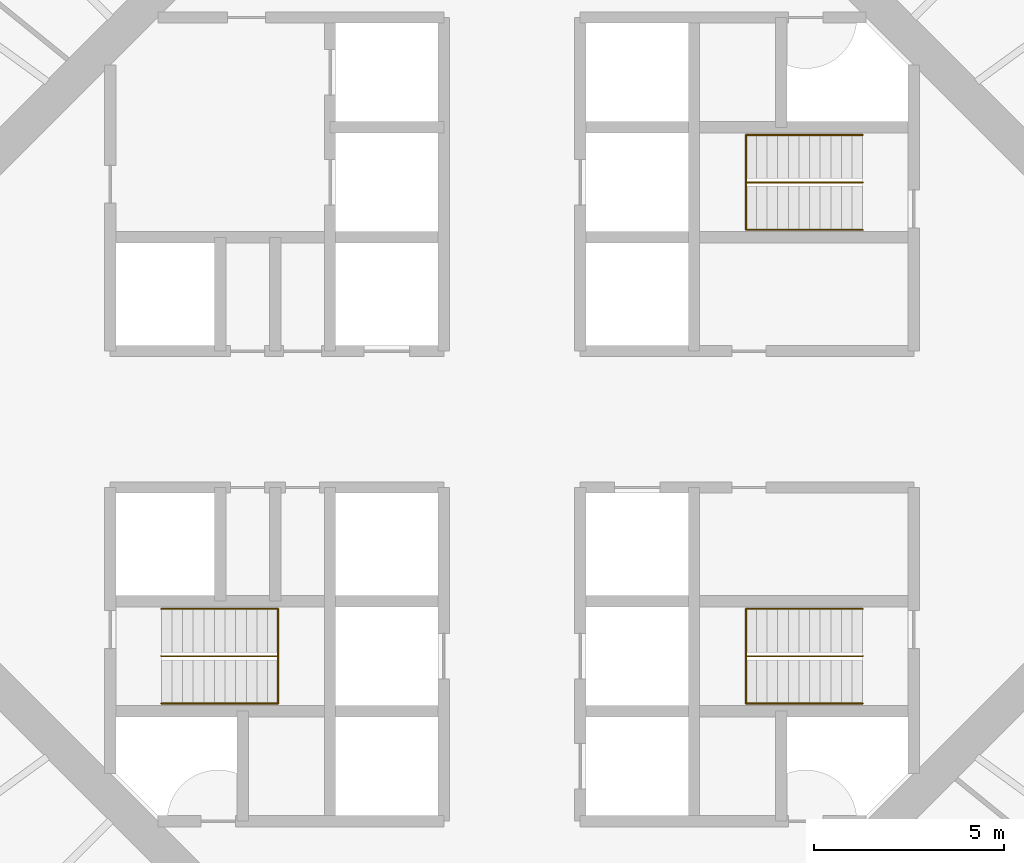
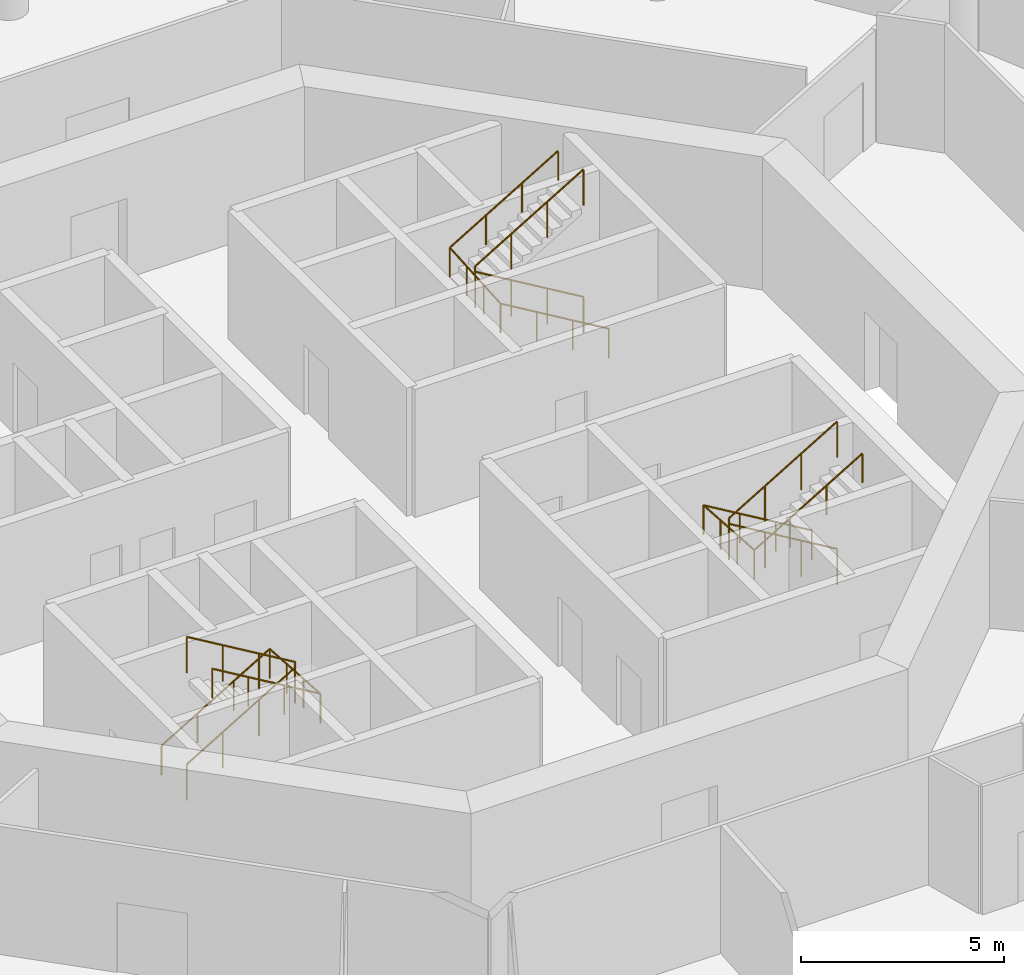
# One storey, part 13 of 13: 6 railings.
"""IFC4 building model written with IfcOpenShell, lengths in metres."""

from ifc_helpers import new_model, si_unit, direction, frame, origin, origin_2d, place, context, subcontext, project, spatial, circle, extrude, material, type_object, element, save


model = new_model("IFC4")

# Units and contexts
model_context = context("Model", 3, precision=1e-05, world=origin(), true_north=direction((0.0, 1.0)))
body_context = subcontext(model_context, "Body", "Model", "MODEL_VIEW")
ifc_project = project(units=[si_unit("LENGTHUNIT", "METRE"), si_unit("AREAUNIT", "SQUARE_METRE"), si_unit("VOLUMEUNIT", "CUBIC_METRE"), si_unit("PLANEANGLEUNIT", "RADIAN"), si_unit("MASSUNIT", "GRAM", prefix="KILO")], contexts=[model_context])

# Site, building, storey
site_placement = place(None, origin())
site = spatial("IfcSite", under=ifc_project, at=site_placement, CompositionType="ELEMENT")
building_placement = place(site_placement, origin())
building = spatial("IfcBuilding", under=site, at=building_placement, Name="Entoto Ring Tower", CompositionType="ELEMENT")
storey_placement = place(building_placement, frame((0.0, 0.0, 258.0)))
storey = spatial("IfcBuildingStorey", under=building, at=storey_placement, Name="L59", CompositionType="ELEMENT", Elevation=258.0)

# Railings
ifc_material_1 = material(Name="Steel S275", Category="steel")
railing_type_1 = type_object("IfcRailingType", Name="Stair guard 1100 mm steel", PredefinedType="GUARDRAIL", material=ifc_material_1)
railing_1_placement = place(storey_placement, frame((99.25, 86.25, 0.166748046875)))
element("IfcRailing", 1, at=railing_1_placement, inside=storey, type_object=railing_type_1, Name="Guard ST1", PredefinedType="GUARDRAIL", context=body_context, shape_type="SweptSolid", body=[
    extrude(circle(Radius=0.02392578125, at=origin_2d()), frame((0.0, 0.0, 1.076171875), z_axis=(-0.859308565015, 0.0, 0.511457515432), x_axis=(0.0, -1.0, 0.0)), (0.0, 0.0, 1.0), 3.58447265625),
    extrude(circle(Radius=0.02392578125, at=origin_2d()), frame((-3.080078125, 0.0, 2.9091796875), z_axis=(0.0, 0.0, 1.0), x_axis=(1.0, 0.0, 0.0)), (0.0, 0.0, 1.0), 0.166748046875),
    extrude(circle(Radius=0.02392578125, at=origin_2d()), frame((-3.080078125, 0.0, 3.076171875), z_axis=(0.859308565015, 0.0, 0.511457515432), x_axis=(0.0, 1.0, 0.0)), (0.0, 0.0, 1.0), 3.58447265625),
    extrude(circle(Radius=0.02099609375, at=origin_2d()), origin(), (0.0, 0.0, 1.0), 1.052001953125),
    extrude(circle(Radius=0.02099609375, at=origin_2d()), frame((-1.026611328125, 0.0, 0.611083984375)), (0.0, 0.0, 1.0), 1.052001953125),
    extrude(circle(Radius=0.02099609375, at=origin_2d()), frame((-2.053466796875, 0.0, 1.22216796875)), (0.0, 0.0, 1.0), 1.052001953125),
    extrude(circle(Radius=0.02099609375, at=origin_2d()), frame((-3.080078125, 0.0, 1.833251953125)), (0.0, 0.0, 1.0), 1.052001953125),
    extrude(circle(Radius=0.02099609375, at=origin_2d()), frame((-3.080078125, 0.0, 2.0)), (0.0, 0.0, 1.0), 1.052001953125),
    extrude(circle(Radius=0.02099609375, at=origin_2d()), frame((-2.053466796875, 0.0, 2.611083984375)), (0.0, 0.0, 1.0), 1.052001953125),
    extrude(circle(Radius=0.02099609375, at=origin_2d()), frame((-1.026611328125, 0.0, 3.22216796875)), (0.0, 0.0, 1.0), 1.052001953125),
    extrude(circle(Radius=0.02099609375, at=origin_2d()), frame((0.0, 0.0, 3.833251953125)), (0.0, 0.0, 1.0), 1.052001953125),
])
railing_2_placement = place(storey_placement, frame((80.75, 73.75, 0.166748046875)))
element("IfcRailing", 2, at=railing_2_placement, inside=storey, type_object=railing_type_1, Name="Guard ST2", PredefinedType="GUARDRAIL", context=body_context, shape_type="SweptSolid", body=[
    extrude(circle(Radius=0.02392578125, at=origin_2d()), frame((0.0, 0.0, 1.076171875), z_axis=(0.859308565015, 0.0, 0.511457515432), x_axis=(0.0, 1.0, 0.0)), (0.0, 0.0, 1.0), 3.58447265625),
    extrude(circle(Radius=0.02392578125, at=origin_2d()), frame((3.080078125, 0.0, 2.9091796875), z_axis=(0.0, 0.0, 1.0), x_axis=(1.0, 0.0, 0.0)), (0.0, 0.0, 1.0), 0.166748046875),
    extrude(circle(Radius=0.02392578125, at=origin_2d()), frame((3.080078125, 0.0, 3.076171875), z_axis=(-0.859308565015, 0.0, 0.511457515432), x_axis=(0.0, -1.0, 0.0)), (0.0, 0.0, 1.0), 3.58447265625),
    extrude(circle(Radius=0.02099609375, at=origin_2d()), origin(), (0.0, 0.0, 1.0), 1.052001953125),
    extrude(circle(Radius=0.02099609375, at=origin_2d()), frame((1.026611328125, 0.0, 0.611083984375)), (0.0, 0.0, 1.0), 1.052001953125),
    extrude(circle(Radius=0.02099609375, at=origin_2d()), frame((2.053466796875, 0.0, 1.22216796875)), (0.0, 0.0, 1.0), 1.052001953125),
    extrude(circle(Radius=0.02099609375, at=origin_2d()), frame((3.080078125, 0.0, 1.833251953125)), (0.0, 0.0, 1.0), 1.052001953125),
    extrude(circle(Radius=0.02099609375, at=origin_2d()), frame((3.080078125, 0.0, 2.0)), (0.0, 0.0, 1.0), 1.052001953125),
    extrude(circle(Radius=0.02099609375, at=origin_2d()), frame((2.053466796875, 0.0, 2.611083984375)), (0.0, 0.0, 1.0), 1.052001953125),
    extrude(circle(Radius=0.02099609375, at=origin_2d()), frame((1.026611328125, 0.0, 3.22216796875)), (0.0, 0.0, 1.0), 1.052001953125),
    extrude(circle(Radius=0.02099609375, at=origin_2d()), frame((0.0, 0.0, 3.833251953125)), (0.0, 0.0, 1.0), 1.052001953125),
])
railing_3_placement = place(storey_placement, frame((99.25, 73.75, 0.166748046875)))
element("IfcRailing", 3, at=railing_3_placement, inside=storey, type_object=railing_type_1, Name="Guard ST3", PredefinedType="GUARDRAIL", context=body_context, shape_type="SweptSolid", body=[
    extrude(circle(Radius=0.02392578125, at=origin_2d()), frame((0.0, 0.0, 1.076171875), z_axis=(-0.859308565015, 0.0, 0.511457515432), x_axis=(0.0, -1.0, 0.0)), (0.0, 0.0, 1.0), 3.58447265625),
    extrude(circle(Radius=0.02392578125, at=origin_2d()), frame((-3.080078125, 0.0, 2.9091796875), z_axis=(0.0, 0.0, 1.0), x_axis=(1.0, 0.0, 0.0)), (0.0, 0.0, 1.0), 0.166748046875),
    extrude(circle(Radius=0.02392578125, at=origin_2d()), frame((-3.080078125, 0.0, 3.076171875), z_axis=(0.859308565015, 0.0, 0.511457515432), x_axis=(0.0, 1.0, 0.0)), (0.0, 0.0, 1.0), 3.58447265625),
    extrude(circle(Radius=0.02099609375, at=origin_2d()), origin(), (0.0, 0.0, 1.0), 1.052001953125),
    extrude(circle(Radius=0.02099609375, at=origin_2d()), frame((-1.026611328125, 0.0, 0.611083984375)), (0.0, 0.0, 1.0), 1.052001953125),
    extrude(circle(Radius=0.02099609375, at=origin_2d()), frame((-2.053466796875, 0.0, 1.22216796875)), (0.0, 0.0, 1.0), 1.052001953125),
    extrude(circle(Radius=0.02099609375, at=origin_2d()), frame((-3.080078125, 0.0, 1.833251953125)), (0.0, 0.0, 1.0), 1.052001953125),
    extrude(circle(Radius=0.02099609375, at=origin_2d()), frame((-3.080078125, 0.0, 2.0)), (0.0, 0.0, 1.0), 1.052001953125),
    extrude(circle(Radius=0.02099609375, at=origin_2d()), frame((-2.053466796875, 0.0, 2.611083984375)), (0.0, 0.0, 1.0), 1.052001953125),
    extrude(circle(Radius=0.02099609375, at=origin_2d()), frame((-1.026611328125, 0.0, 3.22216796875)), (0.0, 0.0, 1.0), 1.052001953125),
    extrude(circle(Radius=0.02099609375, at=origin_2d()), frame((0.0, 0.0, 3.833251953125)), (0.0, 0.0, 1.0), 1.052001953125),
])
ifc_material_2 = material(Name="Steel S275", Category="steel")
railing_type_2 = type_object("IfcRailingType", Name="Stair handrail 900 mm steel", PredefinedType="HANDRAIL", material=ifc_material_2)
railing_4_placement = place(storey_placement, frame((99.25, 85.0, 0.166748046875)))
element("IfcRailing", 4, at=railing_4_placement, inside=storey, type_object=railing_type_2, Name="Handrail ST1", PredefinedType="HANDRAIL", context=body_context, shape_type="SweptSolid", body=[
    extrude(circle(Radius=0.02392578125, at=origin_2d()), frame((0.0, 0.0, 0.8759765625), z_axis=(-0.859308565015, 0.0, 0.511457515432), x_axis=(0.0, -1.0, 0.0)), (0.0, 0.0, 1.0), 3.58447265625),
    extrude(circle(Radius=0.02392578125, at=origin_2d()), frame((-3.080078125, 0.0, 2.708984375), z_axis=(0.0, 0.997783001586, 0.066551346688), x_axis=(-1.0, 0.0, 0.0)), (0.0, 0.0, 1.0), 2.505615234375),
    extrude(circle(Radius=0.02392578125, at=origin_2d()), frame((-3.080078125, 2.5, 2.8759765625), z_axis=(0.859308565015, 0.0, 0.511457515432), x_axis=(0.0, 1.0, 0.0)), (0.0, 0.0, 1.0), 3.58447265625),
    extrude(circle(Radius=0.02099609375, at=origin_2d()), origin(), (0.0, 0.0, 1.0), 0.851806640625),
    extrude(circle(Radius=0.02099609375, at=origin_2d()), frame((-1.026611328125, 0.0, 0.611083984375)), (0.0, 0.0, 1.0), 0.851806640625),
    extrude(circle(Radius=0.02099609375, at=origin_2d()), frame((-2.053466796875, 0.0, 1.22216796875)), (0.0, 0.0, 1.0), 0.851806640625),
    extrude(circle(Radius=0.02099609375, at=origin_2d()), frame((-3.080078125, 0.0, 1.833251953125)), (0.0, 0.0, 1.0), 0.851806640625),
    extrude(circle(Radius=0.02099609375, at=origin_2d()), frame((-3.080078125, 0.833251953125, 1.888916015625)), (0.0, 0.0, 1.0), 0.851806640625),
    extrude(circle(Radius=0.02099609375, at=origin_2d()), frame((-3.080078125, 1.666748046875, 1.9443359375)), (0.0, 0.0, 1.0), 0.851806640625),
    extrude(circle(Radius=0.02099609375, at=origin_2d()), frame((-3.080078125, 2.5, 2.0)), (0.0, 0.0, 1.0), 0.851806640625),
    extrude(circle(Radius=0.02099609375, at=origin_2d()), frame((-2.053466796875, 2.5, 2.611083984375)), (0.0, 0.0, 1.0), 0.851806640625),
    extrude(circle(Radius=0.02099609375, at=origin_2d()), frame((-1.026611328125, 2.5, 3.22216796875)), (0.0, 0.0, 1.0), 0.851806640625),
    extrude(circle(Radius=0.02099609375, at=origin_2d()), frame((0.0, 2.5, 3.833251953125)), (0.0, 0.0, 1.0), 0.851806640625),
])
railing_5_placement = place(storey_placement, frame((80.75, 75.0, 0.166748046875)))
element("IfcRailing", 5, at=railing_5_placement, inside=storey, type_object=railing_type_2, Name="Handrail ST2", PredefinedType="HANDRAIL", context=body_context, shape_type="SweptSolid", body=[
    extrude(circle(Radius=0.02392578125, at=origin_2d()), frame((0.0, 0.0, 0.8759765625), z_axis=(0.859308565015, 0.0, 0.511457515432), x_axis=(0.0, 1.0, 0.0)), (0.0, 0.0, 1.0), 3.58447265625),
    extrude(circle(Radius=0.02392578125, at=origin_2d()), frame((3.080078125, 0.0, 2.708984375), z_axis=(0.0, -0.997783001586, 0.066551346688), x_axis=(1.0, 0.0, 0.0)), (0.0, 0.0, 1.0), 2.505615234375),
    extrude(circle(Radius=0.02392578125, at=origin_2d()), frame((3.080078125, -2.5, 2.8759765625), z_axis=(-0.859308565015, 0.0, 0.511457515432), x_axis=(0.0, -1.0, 0.0)), (0.0, 0.0, 1.0), 3.58447265625),
    extrude(circle(Radius=0.02099609375, at=origin_2d()), origin(), (0.0, 0.0, 1.0), 0.851806640625),
    extrude(circle(Radius=0.02099609375, at=origin_2d()), frame((1.026611328125, 0.0, 0.611083984375)), (0.0, 0.0, 1.0), 0.851806640625),
    extrude(circle(Radius=0.02099609375, at=origin_2d()), frame((2.053466796875, 0.0, 1.22216796875)), (0.0, 0.0, 1.0), 0.851806640625),
    extrude(circle(Radius=0.02099609375, at=origin_2d()), frame((3.080078125, 0.0, 1.833251953125)), (0.0, 0.0, 1.0), 0.851806640625),
    extrude(circle(Radius=0.02099609375, at=origin_2d()), frame((3.080078125, -0.833251953125, 1.888916015625)), (0.0, 0.0, 1.0), 0.851806640625),
    extrude(circle(Radius=0.02099609375, at=origin_2d()), frame((3.080078125, -1.666748046875, 1.9443359375)), (0.0, 0.0, 1.0), 0.851806640625),
    extrude(circle(Radius=0.02099609375, at=origin_2d()), frame((3.080078125, -2.5, 2.0)), (0.0, 0.0, 1.0), 0.851806640625),
    extrude(circle(Radius=0.02099609375, at=origin_2d()), frame((2.053466796875, -2.5, 2.611083984375)), (0.0, 0.0, 1.0), 0.851806640625),
    extrude(circle(Radius=0.02099609375, at=origin_2d()), frame((1.026611328125, -2.5, 3.22216796875)), (0.0, 0.0, 1.0), 0.851806640625),
    extrude(circle(Radius=0.02099609375, at=origin_2d()), frame((0.0, -2.5, 3.833251953125)), (0.0, 0.0, 1.0), 0.851806640625),
])
railing_6_placement = place(storey_placement, frame((99.25, 75.0, 0.166748046875)))
element("IfcRailing", 6, at=railing_6_placement, inside=storey, type_object=railing_type_2, Name="Handrail ST3", PredefinedType="HANDRAIL", context=body_context, shape_type="SweptSolid", body=[
    extrude(circle(Radius=0.02392578125, at=origin_2d()), frame((0.0, 0.0, 0.8759765625), z_axis=(-0.859308565015, 0.0, 0.511457515432), x_axis=(0.0, -1.0, 0.0)), (0.0, 0.0, 1.0), 3.58447265625),
    extrude(circle(Radius=0.02392578125, at=origin_2d()), frame((-3.080078125, 0.0, 2.708984375), z_axis=(0.0, -0.997783001586, 0.066551346688), x_axis=(1.0, 0.0, 0.0)), (0.0, 0.0, 1.0), 2.505615234375),
    extrude(circle(Radius=0.02392578125, at=origin_2d()), frame((-3.080078125, -2.5, 2.8759765625), z_axis=(0.859308565015, 0.0, 0.511457515432), x_axis=(0.0, 1.0, 0.0)), (0.0, 0.0, 1.0), 3.58447265625),
    extrude(circle(Radius=0.02099609375, at=origin_2d()), origin(), (0.0, 0.0, 1.0), 0.851806640625),
    extrude(circle(Radius=0.02099609375, at=origin_2d()), frame((-1.026611328125, 0.0, 0.611083984375)), (0.0, 0.0, 1.0), 0.851806640625),
    extrude(circle(Radius=0.02099609375, at=origin_2d()), frame((-2.053466796875, 0.0, 1.22216796875)), (0.0, 0.0, 1.0), 0.851806640625),
    extrude(circle(Radius=0.02099609375, at=origin_2d()), frame((-3.080078125, 0.0, 1.833251953125)), (0.0, 0.0, 1.0), 0.851806640625),
    extrude(circle(Radius=0.02099609375, at=origin_2d()), frame((-3.080078125, -0.833251953125, 1.888916015625)), (0.0, 0.0, 1.0), 0.851806640625),
    extrude(circle(Radius=0.02099609375, at=origin_2d()), frame((-3.080078125, -1.666748046875, 1.9443359375)), (0.0, 0.0, 1.0), 0.851806640625),
    extrude(circle(Radius=0.02099609375, at=origin_2d()), frame((-3.080078125, -2.5, 2.0)), (0.0, 0.0, 1.0), 0.851806640625),
    extrude(circle(Radius=0.02099609375, at=origin_2d()), frame((-2.053466796875, -2.5, 2.611083984375)), (0.0, 0.0, 1.0), 0.851806640625),
    extrude(circle(Radius=0.02099609375, at=origin_2d()), frame((-1.026611328125, -2.5, 3.22216796875)), (0.0, 0.0, 1.0), 0.851806640625),
    extrude(circle(Radius=0.02099609375, at=origin_2d()), frame((0.0, -2.5, 3.833251953125)), (0.0, 0.0, 1.0), 0.851806640625),
])

save(model, "model.ifc")
